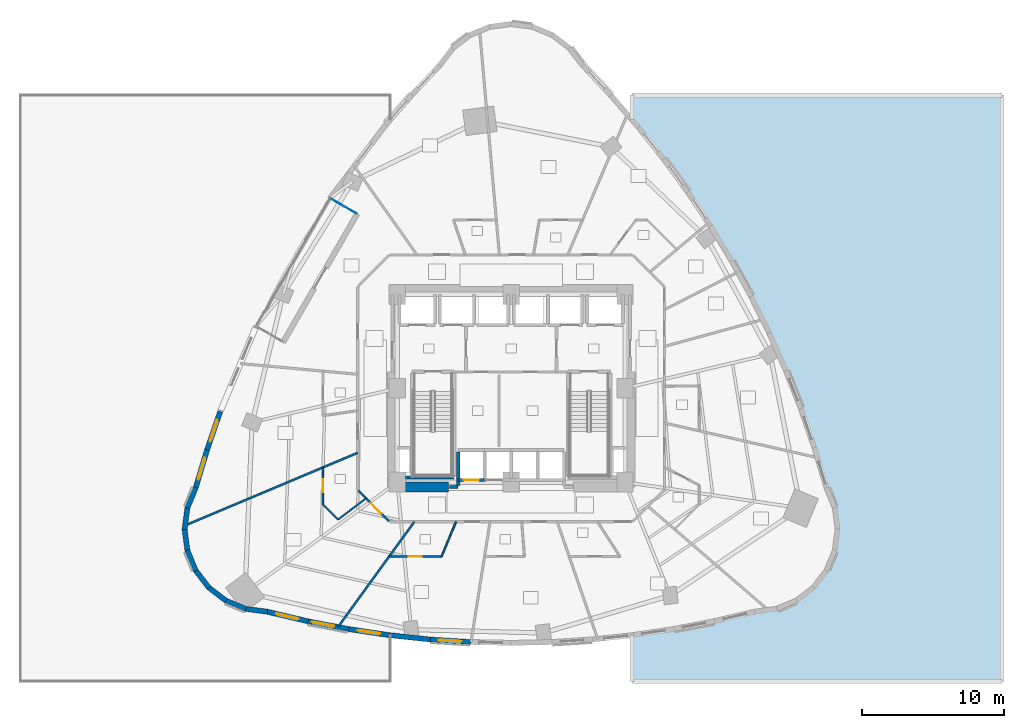
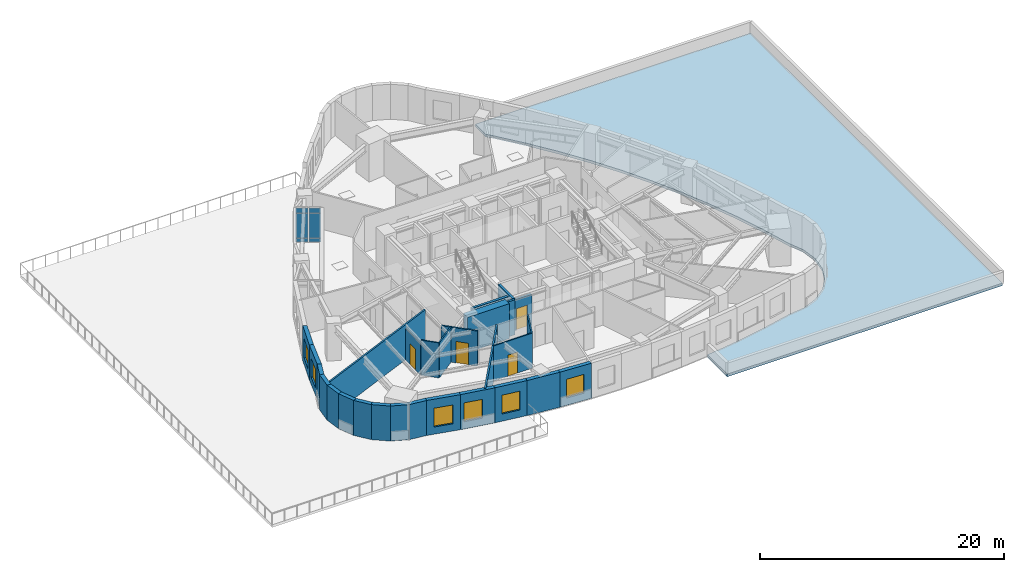
# One storey, part 7 of 15: 28 walls, 6 plates, 6 windows, 4 doors, 1 slab, 10 openings, 1 element without a shape of its own.
"""IFC4 building model written with IfcOpenShell, lengths in metres."""

import ifcopenshell
import ifcopenshell.guid

model = None  # the IFC model being written
_history = None  # IfcOwnerHistory: only IFC2X3 demands one
_inside = {}  # id of a spatial element -> (the spatial element, [elements in it])
_under = {}  # id of a project, library or spatial element -> (it, [spatial elements below it])
_declared = {}  # id of a project -> (the project, [libraries it declares])
_typed = {}  # id of a type object -> (the type object, [elements of that type])
_made_of = {}  # id of a material, layer set ... -> (it, [elements and type objects made of it])


def new_model(schema):
    """Start an empty IFC model of exactly this schema.

    Asked for "IFC4X3", IfcOpenShell would pick the latest addendum, in which some entities
    have other attributes; the version numbers below select the first issue.
    IFC2X3 requires an IfcOwnerHistory on every rooted entity: one is made here for all.
    """
    global model, _history
    if schema == "IFC4X3":
        model = ifcopenshell.file(schema_version=(4, 3, 0, 0))
    else:
        model = ifcopenshell.file(schema=schema)
    _inside.clear()
    _under.clear()
    _declared.clear()
    _typed.clear()
    _made_of.clear()
    _history = None
    if model.schema == "IFC2X3":
        org = make("IfcOrganization", Name="unknown")
        user = make(
            "IfcPersonAndOrganization",
            ThePerson=make("IfcPerson", FamilyName="unknown"),
            TheOrganization=org,
        )
        app = make(
            "IfcApplication",
            ApplicationDeveloper=org,
            Version="unknown",
            ApplicationFullName="unknown",
            ApplicationIdentifier="unknown",
        )
        _history = make(
            "IfcOwnerHistory",
            OwningUser=user,
            OwningApplication=app,
            ChangeAction="ADDED",
            CreationDate=0,
        )
    return model


def make(cls, **values):
    """One entity of the class cls with the attributes given. An attribute that is None is left unset."""
    return model.create_entity(
        cls, **{name: value for name, value in values.items() if value is not None}
    )


def rooted(cls, **values):
    """An entity with a GlobalId (a new one), such as an element, a storey or a relation."""
    return make(cls, GlobalId=ifcopenshell.guid.new(), OwnerHistory=_history, **values)


def si_unit(unit_type, name, prefix=None):
    """IfcSIUnit, for example si_unit("LENGTHUNIT", "METRE", prefix="MILLI")."""
    return make("IfcSIUnit", UnitType=unit_type, Prefix=prefix, Name=name)


def assignment(units):
    """IfcUnitAssignment: the units of a project."""
    return None if units is None else make("IfcUnitAssignment", Units=units)


def point(xyz):
    """IfcCartesianPoint."""
    return None if xyz is None else make("IfcCartesianPoint", Coordinates=xyz)


def direction(xyz):
    """IfcDirection."""
    return None if xyz is None else make("IfcDirection", DirectionRatios=xyz)


def frame(location, z_axis=None, x_axis=None):
    """IfcAxis2Placement3D, a coordinate frame: its origin and axes. An axis left out is left unset."""
    return make(
        "IfcAxis2Placement3D",
        Location=point(location),
        Axis=direction(z_axis),
        RefDirection=direction(x_axis),
    )


def frame_2d(location, x_axis=None):
    """IfcAxis2Placement2D, a coordinate frame in the plane: its origin and x axis."""
    return make(
        "IfcAxis2Placement2D", Location=point(location), RefDirection=direction(x_axis)
    )


def origin():
    """The frame at (0, 0, 0) with its axes left unset."""
    return frame((0.0, 0.0, 0.0))


def origin_2d():
    """The frame at (0, 0) in the plane with its x axis left unset."""
    return frame_2d((0.0, 0.0))


def place(relative_to, where):
    """IfcLocalPlacement: puts the frame where relative to a parent placement (None: the world)."""
    return make(
        "IfcLocalPlacement", PlacementRelTo=relative_to, RelativePlacement=where
    )


def context(
    kind, dimensions, precision=None, world=None, true_north=None, identifier=None
):
    """IfcGeometricRepresentationContext, for example the 3D "Model" context."""
    return make(
        "IfcGeometricRepresentationContext",
        ContextIdentifier=identifier,
        ContextType=kind,
        CoordinateSpaceDimension=dimensions,
        Precision=precision,
        WorldCoordinateSystem=world,
        TrueNorth=true_north,
    )


def subcontext(parent, identifier, kind, view, scale=None):
    """IfcGeometricRepresentationSubContext, for example "Body" below "Model"."""
    return make(
        "IfcGeometricRepresentationSubContext",
        ContextIdentifier=identifier,
        ContextType=kind,
        ParentContext=parent,
        TargetScale=scale,
        TargetView=view,
    )


def project(units=None, contexts=None):
    """IfcProject with its units and contexts."""
    return rooted(
        "IfcProject",
        Name="project",
        RepresentationContexts=contexts,
        UnitsInContext=assignment(units),
    )


def spatial(cls, under=None, at=None, **own):
    """A site, building, storey or space (cls), placed at a placement, below another one or the project."""
    s = rooted(cls, ObjectPlacement=at, **own)
    if under is not None:
        _under.setdefault(under.id(), (under, []))[1].append(s)
    return s


def polyline(points):
    """IfcPolyline through the points."""
    return make("IfcPolyline", Points=[point(p) for p in points])


def profile(cls, at=None, kind="AREA", **sizes):
    """A parametric profile (cls). Its sizes go by their IFC names, for example OverallWidth=200.0."""
    return make(cls, ProfileType=kind, Position=at, **sizes)


def rectangle(**sizes):
    """IfcRectangleProfileDef."""
    return profile("IfcRectangleProfileDef", **sizes)


def outline(outer, holes=None, kind="AREA"):
    """IfcArbitraryClosedProfileDef: a profile drawn as a closed curve; with holes, ...WithVoids."""
    if holes is None:
        return make("IfcArbitraryClosedProfileDef", ProfileType=kind, OuterCurve=outer)
    return make(
        "IfcArbitraryProfileDefWithVoids",
        ProfileType=kind,
        OuterCurve=outer,
        InnerCurves=holes,
    )


def extrude(swept, where, along, depth):
    """IfcExtrudedAreaSolid: the profile swept, set in the frame where, extruded along a direction by depth."""
    return make(
        "IfcExtrudedAreaSolid",
        SweptArea=swept,
        Position=where,
        ExtrudedDirection=direction(along),
        Depth=depth,
    )


def shape(context_of_items, identifier, shape_type, items):
    """IfcShapeRepresentation: the items that make up one representation, for example the "Body"."""
    return make(
        "IfcShapeRepresentation",
        ContextOfItems=context_of_items,
        RepresentationIdentifier=identifier,
        RepresentationType=shape_type,
        Items=items,
    )


def material(Name=None, Category=None):
    """IfcMaterial."""
    return make("IfcMaterial", Name=Name, Category=Category)


def layer(
    of_material, thickness, ventilated=None, Name=None, Category=None, Priority=None
):
    """IfcMaterialLayer: one layer of a wall or slab, of a material (None: an air gap)."""
    return make(
        "IfcMaterialLayer",
        Material=of_material,
        LayerThickness=thickness,
        IsVentilated=ventilated,
        Name=Name,
        Category=Category,
        Priority=Priority,
    )


def layer_set(layers, Name=None):
    """IfcMaterialLayerSet."""
    return make("IfcMaterialLayerSet", MaterialLayers=layers, LayerSetName=Name)


def made_of(thing, what):
    """Note that an element or type object is made of a material, layer set ...; save() writes the relation."""
    if what is not None:
        _made_of.setdefault(what.id(), (what, []))[1].append(thing)
    return thing


def type_object(cls, material=None, **own):
    """A type object (cls), such as IfcWallType, which elements share."""
    return made_of(rooted(cls, **own), material)


def element(
    cls,
    number,
    at=None,
    inside=None,
    cuts=None,
    type_object=None,
    material=None,
    context=None,
    identifier="Body",
    shape_type=None,
    held_by="IfcProductDefinitionShape",
    body=None,
    shapes=None,
    **own,
):
    """One element of the class cls, such as IfcWall. Its Tag is "e" and its number.

    at: its placement. inside: the storey or other place that contains it. cuts: it is an
    opening in that element (IfcRelVoidsElement). A single representation is given by context,
    identifier, shape_type and body (its items); several are given by shapes. held_by: the class
    of the entity that holds the representations. save() writes the other relations.
    """
    e = rooted(cls, Tag="e%d" % number, ObjectPlacement=at, **own)
    if body is not None:
        shapes = [shape(context, identifier, shape_type, body)]
    if shapes is not None:
        e.Representation = make(held_by, Representations=shapes)
    if inside is not None:
        _inside.setdefault(inside.id(), (inside, []))[1].append(e)
    if cuts is not None:
        rooted(
            "IfcRelVoidsElement", RelatingBuildingElement=cuts, RelatedOpeningElement=e
        )
    if type_object is not None:
        _typed.setdefault(type_object.id(), (type_object, []))[1].append(e)
    return made_of(e, material)


def fill(opening, filler):
    """IfcRelFillsElement: the door or window that sits in an opening."""
    return rooted(
        "IfcRelFillsElement",
        RelatingOpeningElement=opening,
        RelatedBuildingElement=filler,
    )


def aggregate(whole, parts):
    """IfcRelAggregates: a whole, such as a stair, and the parts it consists of."""
    return rooted("IfcRelAggregates", RelatingObject=whole, RelatedObjects=parts)


def save(model, path):
    """Write the relations noted so far, then the file.

    IfcRelAggregates (storeys below a building ...), IfcRelContainedInSpatialStructure (elements
    in a storey), IfcRelDefinesByType, IfcRelAssociatesMaterial and IfcRelDeclares: one each for
    every whole, place, type object, material and project.
    """
    for whole, parts in _under.values():
        aggregate(whole, parts)
    for where, things in _inside.values():
        rooted(
            "IfcRelContainedInSpatialStructure",
            RelatedElements=things,
            RelatingStructure=where,
        )
    for kind, things in _typed.values():
        rooted("IfcRelDefinesByType", RelatedObjects=things, RelatingType=kind)
    for what, things in _made_of.values():
        rooted("IfcRelAssociatesMaterial", RelatedObjects=things, RelatingMaterial=what)
    for by, libraries in _declared.values():
        rooted("IfcRelDeclares", RelatingContext=by, RelatedDefinitions=libraries)
    model.write(path)


model = new_model("IFC4")

# Units and contexts
model_context = context("Model", 3, precision=1e-05, world=origin(), true_north=direction((0.0, 1.0)))
body_context = subcontext(model_context, "Body", "Model", "MODEL_VIEW")
ifc_project = project(units=[si_unit("LENGTHUNIT", "METRE"), si_unit("AREAUNIT", "SQUARE_METRE"), si_unit("VOLUMEUNIT", "CUBIC_METRE"), si_unit("PLANEANGLEUNIT", "RADIAN"), si_unit("MASSUNIT", "GRAM", prefix="KILO")], contexts=[model_context])

# Site, building, storey
site_placement = place(None, origin())
site = spatial("IfcSite", under=ifc_project, at=site_placement, CompositionType="ELEMENT")
building_placement = place(site_placement, origin())
building = spatial("IfcBuilding", under=site, at=building_placement, Name="Ndelora Gate Hotel", CompositionType="ELEMENT")
storey_placement = place(building_placement, frame((0.0, 0.0, 30.5)))
storey = spatial("IfcBuildingStorey", under=building, at=storey_placement, Name="L06", CompositionType="ELEMENT", Elevation=30.5)

# Curtain wall, plates
ifc_material_1 = material(Name="Bronze Anodised Unitised Aluminium and Low-E Glass", Category="aluminium")
ifc_layer_1 = layer(ifc_material_1, 0.199951171875)
ifc_layer_set_1 = layer_set([ifc_layer_1], Name="Bronze Anodised Unitised Aluminium and Low-E Glass")
curtain_wall_type = type_object("IfcCurtainWallType", Name="CW-SYS-3", PredefinedType="NOTDEFINED", material=ifc_layer_set_1)
curtain_wall_placement = place(storey_placement, origin())
curtain_wall = element("IfcCurtainWall", 1, at=curtain_wall_placement, inside=storey, type_object=curtain_wall_type, Name="L06 Sky-Garden Loggia Side Curtain Wall CW3-1", PredefinedType="NOTDEFINED")
ifc_material_2 = material(Name="Solar-Control Low-E Insulated Glazing", Category="glass")
ifc_layer_2 = layer(ifc_material_2, 0.048095703125)
ifc_layer_set_2 = layer_set([ifc_layer_2], Name="Solar-Control Low-E Insulated Glazing")
plate_type = type_object("IfcPlateType", Name="PL-CW-GLZ36", PredefinedType="CURTAIN_PANEL", material=ifc_layer_set_2)
plate_1_placement = place(storey_placement, frame((-11.315185546875, 12.537353515625, 0.05908203125), z_axis=(0.0, 0.0, 1.0), x_axis=(-0.866030416344, 0.499991317892, 0.0)))
plate_1 = element("IfcPlate", 2, at=plate_1_placement, type_object=plate_type, Name="CW3 panel 1.1", PredefinedType="CURTAIN_PANEL", context=body_context, shape_type="SweptSolid", body=[
    extrude(rectangle(XDim=1.014404296875, YDim=0.048095703125, at=origin_2d()), origin(), (0.0, 0.0, 1.0), 0.364501953125),
])
plate_2_placement = place(storey_placement, frame((-11.315185546875, 12.537353515625, 0.4765625), z_axis=(0.0, 0.0, 1.0), x_axis=(-0.866030416344, 0.499991317892, 0.0)))
plate_2 = element("IfcPlate", 3, at=plate_2_placement, type_object=plate_type, Name="CW3 panel 1.2", PredefinedType="CURTAIN_PANEL", context=body_context, shape_type="SweptSolid", body=[
    extrude(rectangle(XDim=1.014404296875, YDim=0.048095703125, at=origin_2d()), origin(), (0.0, 0.0, 1.0), 2.447021484375),
])
plate_3_placement = place(storey_placement, frame((-11.315185546875, 12.537353515625, 2.9765625), z_axis=(0.0, 0.0, 1.0), x_axis=(-0.866030416344, 0.499991317892, 0.0)))
plate_3 = element("IfcPlate", 4, at=plate_3_placement, type_object=plate_type, Name="CW3 panel 1.3", PredefinedType="CURTAIN_PANEL", context=body_context, shape_type="SweptSolid", body=[
    extrude(rectangle(XDim=1.014404296875, YDim=0.048095703125, at=origin_2d()), origin(), (0.0, 0.0, 1.0), 0.464599609375),
])
plate_4_placement = place(storey_placement, frame((-12.23974609375, 13.071044921875, 0.05908203125), z_axis=(0.0, 0.0, 1.0), x_axis=(-0.866030416344, 0.499991317892, 0.0)))
plate_4 = element("IfcPlate", 5, at=plate_4_placement, type_object=plate_type, Name="CW3 panel 2.1", PredefinedType="CURTAIN_PANEL", context=body_context, shape_type="SweptSolid", body=[
    extrude(rectangle(XDim=1.014404296875, YDim=0.048095703125, at=origin_2d()), origin(), (0.0, 0.0, 1.0), 0.364501953125),
])
plate_5_placement = place(storey_placement, frame((-12.23974609375, 13.071044921875, 0.4765625), z_axis=(0.0, 0.0, 1.0), x_axis=(-0.866030416344, 0.499991317892, 0.0)))
plate_5 = element("IfcPlate", 6, at=plate_5_placement, type_object=plate_type, Name="CW3 panel 2.2", PredefinedType="CURTAIN_PANEL", context=body_context, shape_type="SweptSolid", body=[
    extrude(rectangle(XDim=1.014404296875, YDim=0.048095703125, at=origin_2d()), origin(), (0.0, 0.0, 1.0), 2.447021484375),
])
plate_6_placement = place(storey_placement, frame((-12.23974609375, 13.071044921875, 2.9765625), z_axis=(0.0, 0.0, 1.0), x_axis=(-0.866030416344, 0.499991317892, 0.0)))
plate_6 = element("IfcPlate", 7, at=plate_6_placement, type_object=plate_type, Name="CW3 panel 2.3", PredefinedType="CURTAIN_PANEL", context=body_context, shape_type="SweptSolid", body=[
    extrude(rectangle(XDim=1.014404296875, YDim=0.048095703125, at=origin_2d()), origin(), (0.0, 0.0, 1.0), 0.464599609375),
])
aggregate(curtain_wall, [plate_1, plate_2, plate_3, plate_4, plate_5, plate_6])

# Slab
ifc_material_3 = material(Name="Precast concrete C40/50", Category="concrete")
ifc_layer_3 = layer(ifc_material_3, 0.260009765625)
ifc_layer_set_3 = layer_set([ifc_layer_3], Name="Precast concrete C40/50")
slab_type = type_object("IfcSlabType", Name="SL-ROOF-260", PredefinedType="ROOF", material=ifc_layer_set_3)
slab_placement = place(storey_placement, frame((0.0, 0.0, -0.260009765625)))
element("IfcSlab", 8, at=slab_placement, inside=storey, type_object=slab_type, Name="L06 East Podium Closed Roof Slab", PredefinedType="ROOF", context=body_context, shape_type="SweptSolid", body=[
    extrude(outline(polyline([(8.5, 18.90625), (8.9560546875, 18.37939453125), (10.756591796875, 16.11669921875), (12.451171875, 13.792724609375), (14.039794921875, 11.40771484375), (15.522705078125, 8.961669921875), (16.899658203125, 6.454345703125), (18.1708984375, 3.885986328125), (19.336181640625, 1.25634765625), (20.3955078125, -1.434326171875), (21.348876953125, -4.18603515625), (22.196044921875, -6.997314453125), (22.7763671875, -8.400146484375), (22.973876953125, -9.906494140625), (22.77490234375, -11.412841796875), (22.193115234375, -12.816162109375), (21.267578125, -14.02099609375), (20.061767578125, -14.9453125), (18.657958984375, -15.526123046875), (17.15771484375, -15.7236328125), (14.298828125, -16.395751953125), (11.439208984375, -16.94580078125), (8.5791015625, -17.373779296875), (8.5, -17.38232421875), (8.5, -20.60009765625), (34.5, -20.60009765625), (34.5, 20.60009765625), (8.5, 20.60009765625), (8.5, 18.90625)])), origin(), (0.0, 0.0, 1.0), 0.260009765625),
])

# Wall, opening, window
ifc_material_4 = material(Name="Clay Brick Masonry", Category="masonry")
ifc_layer_4 = layer(ifc_material_4, 0.360107421875)
ifc_layer_set_4 = layer_set([ifc_layer_4], Name="Clay Brick Masonry")
wall_type_1 = type_object("IfcWallType", Name="WL-BRICK-360", PredefinedType="SOLIDWALL", material=ifc_layer_set_4)
wall_1_placement = place(storey_placement, frame((-21.373779296875, -4.32666015625, 0.0), z_axis=(0.0, 0.0, 1.0), x_axis=(0.325091754677, 0.945682478975, 0.0)))
wall_1 = element("IfcWall", 9, at=wall_1_placement, inside=storey, type_object=wall_type_1, Name="L06 Tower Brick Pier-and-Spandrel Wall TWR-17", PredefinedType="SOLIDWALL", context=body_context, shape_type="SweptSolid", body=[
    extrude(rectangle(XDim=2.84619140625, YDim=0.360107421875, at=frame_2d((1.423095703125, 0.0))), origin(), (0.0, 0.0, 1.0), 3.5),
])
opening_1_placement = place(wall_1_placement, frame((0.623046875, 0.0, 0.719970703125)))
opening_1 = element("IfcOpeningElement", 10, at=opening_1_placement, cuts=wall_1, Name="Opening W03", PredefinedType="OPENING", context=body_context, shape_type="SweptSolid", body=[
    extrude(rectangle(XDim=1.60009765625, YDim=1.8798828125, at=frame_2d((0.800048828125, 0.93994140625))), frame((0.0, 0.18994140625, 0.0), z_axis=(0.0, -1.0, 0.0), x_axis=(1.0, 0.0, 0.0)), (0.0, 0.0, 1.0), 0.380126953125),
])
ifc_material_5 = material(Name="Insulated Low-E Double Glazing in Bronze Aluminium Frame", Category="aluminium")
window_type_1 = type_object("IfcWindowType", Name="WN-CORN-2100", PartitioningType="SINGLE_PANEL", PredefinedType="WINDOW", material=ifc_material_5)
window_1_placement = place(opening_1_placement, origin())
window_1 = element("IfcWindow", 11, at=window_1_placement, inside=storey, type_object=window_type_1, Name="L06 Deep-Set Brick-Pier Window W03", OverallHeight=1.8798828125, OverallWidth=1.60009765625, PartitioningType="SINGLE_PANEL", PredefinedType="WINDOW", context=body_context, shape_type="SweptSolid", body=[
    extrude(rectangle(XDim=1.60009765625, YDim=1.8798828125, at=frame_2d((0.800048828125, 0.93994140625))), frame((0.0, 0.030029296875, 0.0), z_axis=(0.0, -1.0, 0.0), x_axis=(1.0, 0.0, 0.0)), (0.0, 0.0, 1.0), 0.06005859375),
])
fill(opening_1, window_1)

wall_2_placement = place(storey_placement, frame((-22.184326171875, -7.02783203125, 0.0), z_axis=(0.0, 0.0, 1.0), x_axis=(0.287784902043, 0.957695071594, 0.0)))
wall_2 = element("IfcWall", 12, at=wall_2_placement, inside=storey, type_object=wall_type_1, Name="L06 Tower Brick Pier-and-Spandrel Wall TWR-18", PredefinedType="SOLIDWALL", context=body_context, shape_type="SweptSolid", body=[
    extrude(rectangle(XDim=2.869873046875, YDim=0.360107421875, at=frame_2d((1.43505859375, 0.0))), origin(), (0.0, 0.0, 1.0), 3.5),
])
opening_2_placement = place(wall_2_placement, frame((0.635009765625, 0.0, 0.719970703125)))
opening_2 = element("IfcOpeningElement", 13, at=opening_2_placement, cuts=wall_2, Name="Opening W01", PredefinedType="OPENING", context=body_context, shape_type="SweptSolid", body=[
    extrude(rectangle(XDim=1.60009765625, YDim=1.8798828125, at=frame_2d((0.800048828125, 0.93994140625))), frame((0.0, 0.18994140625, 0.0), z_axis=(0.0, -1.0, 0.0), x_axis=(1.0, 0.0, 0.0)), (0.0, 0.0, 1.0), 0.380126953125),
])
window_type_2 = type_object("IfcWindowType", Name="WN-DEEP-1600", PartitioningType="SINGLE_PANEL", PredefinedType="WINDOW", material=ifc_material_5)
window_2_placement = place(opening_2_placement, origin())
window_2 = element("IfcWindow", 14, at=window_2_placement, inside=storey, type_object=window_type_2, Name="L06 Deep-Set Brick-Pier Window W01", OverallHeight=1.8798828125, OverallWidth=1.60009765625, PartitioningType="SINGLE_PANEL", PredefinedType="WINDOW", context=body_context, shape_type="SweptSolid", body=[
    extrude(rectangle(XDim=1.60009765625, YDim=1.8798828125, at=frame_2d((0.800048828125, 0.93994140625))), frame((0.0, 0.030029296875, 0.0), z_axis=(0.0, -1.0, 0.0), x_axis=(1.0, 0.0, 0.0)), (0.0, 0.0, 1.0), 0.06005859375),
])
fill(opening_2, window_2)

# Walls
for number, where, z_axis, x_axis, name in (
    (15, (-22.76611328125, -8.42578125, 0.0), (0.0, 0.0, 1.0), (0.382719393153, 0.923864636245, 0.0), "L06 Tower Brick Pier-and-Spandrel Wall TWR-19"),
    (16, (-22.95751953125, -9.9287109375, 0.0), (0.0, 0.0, 1.0), (0.130640235609, 0.991429840604, 0.0), "L06 Tower Brick Pier-and-Spandrel Wall TWR-20"),
    (17, (-22.753173828125, -11.429931640625, 0.0), (0.0, 0.0, 1.0), (-0.130640235609, 0.991429840604, 0.0), "L06 Tower Brick Pier-and-Spandrel Wall TWR-21"),
):
    element("IfcWall", number, at=place(storey_placement, frame(where, z_axis=z_axis, x_axis=x_axis)), inside=storey, type_object=wall_type_1, Name=name, PredefinedType="SOLIDWALL", context=body_context, shape_type="SweptSolid", body=[
        extrude(rectangle(XDim=1.564208984375, YDim=0.360107421875, at=frame_2d((0.7822265625, 0.0))), origin(), (0.0, 0.0, 1.0), 3.5),
    ])
wall_3_placement = place(storey_placement, frame((-22.16748046875, -12.826904296875, 0.0), z_axis=(0.0, 0.0, 1.0), x_axis=(-0.382774588958, 0.923841768945, 0.0)))
element("IfcWall", 18, at=wall_3_placement, inside=storey, type_object=wall_type_1, Name="L06 Tower Brick Pier-and-Spandrel Wall TWR-22", PredefinedType="SOLIDWALL", context=body_context, shape_type="SweptSolid", body=[
    extrude(rectangle(XDim=1.56396484375, YDim=0.360107421875, at=frame_2d((0.781982421875, 0.0))), origin(), (0.0, 0.0, 1.0), 3.5),
])
for number, where, z_axis, x_axis, name in (
    (19, (-21.239990234375, -14.02490234375, 0.0), (0.0, 0.0, 1.0), (-0.608903307772, 0.793244452729, 0.0), "L06 Tower Brick Pier-and-Spandrel Wall TWR-23"),
    (20, (-20.0341796875, -14.942138671875, 0.0), (0.0, 0.0, 1.0), (-0.793377694402, 0.608729688799, 0.0), "L06 Tower Brick Pier-and-Spandrel Wall TWR-24"),
    (21, (-18.632080078125, -15.515869140625, 0.0), (0.0, 0.0, 1.0), (-0.923864636245, 0.382719393153, 0.0), "L06 Tower Brick Pier-and-Spandrel Wall TWR-25"),
    (22, (-17.12939453125, -15.707275390625, 0.0), (0.0, 0.0, 1.0), (-0.991429840604, 0.130640235609, 0.0), "L06 Tower Brick Pier-and-Spandrel Wall TWR-26"),
):
    element("IfcWall", number, at=place(storey_placement, frame(where, z_axis=z_axis, x_axis=x_axis)), inside=storey, type_object=wall_type_1, Name=name, PredefinedType="SOLIDWALL", context=body_context, shape_type="SweptSolid", body=[
        extrude(rectangle(XDim=1.564208984375, YDim=0.360107421875, at=frame_2d((0.7822265625, 0.0))), origin(), (0.0, 0.0, 1.0), 3.5),
    ])

# Wall, opening, window
wall_4_placement = place(storey_placement, frame((-14.270751953125, -16.3818359375, 0.0), z_axis=(0.0, 0.0, 1.0), x_axis=(-0.973460028485, 0.228857101575, 0.0)))
wall_4 = element("IfcWall", 23, at=wall_4_placement, inside=storey, type_object=wall_type_1, Name="L06 Tower Brick Pier-and-Spandrel Wall TWR-27", PredefinedType="SOLIDWALL", context=body_context, shape_type="SweptSolid", body=[
    extrude(rectangle(XDim=2.987060546875, YDim=0.360107421875, at=frame_2d((1.49365234375, 0.0))), origin(), (0.0, 0.0, 1.0), 3.5),
])
opening_3_placement = place(wall_4_placement, frame((0.693603515625, 0.0, 0.719970703125)))
opening_3 = element("IfcOpeningElement", 24, at=opening_3_placement, cuts=wall_4, Name="Opening W01", PredefinedType="OPENING", context=body_context, shape_type="SweptSolid", body=[
    extrude(rectangle(XDim=1.60009765625, YDim=1.8798828125, at=frame_2d((0.800048828125, 0.93994140625))), frame((0.0, 0.18994140625, 0.0), z_axis=(0.0, -1.0, 0.0), x_axis=(1.0, 0.0, 0.0)), (0.0, 0.0, 1.0), 0.380126953125),
])
window_3_placement = place(opening_3_placement, origin())
window_3 = element("IfcWindow", 25, at=window_3_placement, inside=storey, type_object=window_type_2, Name="L06 Deep-Set Brick-Pier Window W01", OverallHeight=1.8798828125, OverallWidth=1.60009765625, PartitioningType="SINGLE_PANEL", PredefinedType="WINDOW", context=body_context, shape_type="SweptSolid", body=[
    extrude(rectangle(XDim=1.60009765625, YDim=1.8798828125, at=frame_2d((0.800048828125, 0.93994140625))), frame((0.0, 0.030029296875, 0.0), z_axis=(0.0, -1.0, 0.0), x_axis=(1.0, 0.0, 0.0)), (0.0, 0.0, 1.0), 0.06005859375),
])
fill(opening_3, window_3)

wall_5_placement = place(storey_placement, frame((-11.41162109375, -16.930908203125, 0.0), z_axis=(0.0, 0.0, 1.0), x_axis=(-0.981984682903, 0.188960531711, 0.0)))
wall_5 = element("IfcWall", 26, at=wall_5_placement, inside=storey, type_object=wall_type_1, Name="L06 Tower Brick Pier-and-Spandrel Wall TWR-28", PredefinedType="SOLIDWALL", context=body_context, shape_type="SweptSolid", body=[
    extrude(rectangle(XDim=2.96142578125, YDim=0.360107421875, at=frame_2d((1.480712890625, 0.0))), origin(), (0.0, 0.0, 1.0), 3.5),
])
opening_4_placement = place(wall_5_placement, frame((1.06005859375, 0.0, 0.719970703125)))
opening_4 = element("IfcOpeningElement", 27, at=opening_4_placement, cuts=wall_5, Name="Opening W01", PredefinedType="OPENING", context=body_context, shape_type="SweptSolid", body=[
    extrude(rectangle(XDim=1.60009765625, YDim=1.8798828125, at=frame_2d((0.800048828125, 0.93994140625))), frame((0.0, 0.18994140625, 0.0), z_axis=(0.0, -1.0, 0.0), x_axis=(1.0, 0.0, 0.0)), (0.0, 0.0, 1.0), 0.380126953125),
])
window_4_placement = place(opening_4_placement, origin())
window_4 = element("IfcWindow", 28, at=window_4_placement, inside=storey, type_object=window_type_2, Name="L06 Deep-Set Brick-Pier Window W01", OverallHeight=1.8798828125, OverallWidth=1.60009765625, PartitioningType="SINGLE_PANEL", PredefinedType="WINDOW", context=body_context, shape_type="SweptSolid", body=[
    extrude(rectangle(XDim=1.60009765625, YDim=1.8798828125, at=frame_2d((0.800048828125, 0.93994140625))), frame((0.0, 0.030029296875, 0.0), z_axis=(0.0, -1.0, 0.0), x_axis=(1.0, 0.0, 0.0)), (0.0, 0.0, 1.0), 0.06005859375),
])
fill(opening_4, window_4)

wall_6_placement = place(storey_placement, frame((-8.552490234375, -17.357666015625, 0.0), z_axis=(0.0, 0.0, 1.0), x_axis=(-0.988982587095, 0.148031896641, 0.0)))
wall_6 = element("IfcWall", 29, at=wall_6_placement, inside=storey, type_object=wall_type_1, Name="L06 Tower Brick Pier-and-Spandrel Wall TWR-29", PredefinedType="SOLIDWALL", context=body_context, shape_type="SweptSolid", body=[
    extrude(rectangle(XDim=2.940673828125, YDim=0.360107421875, at=frame_2d((1.47021484375, 0.0))), origin(), (0.0, 0.0, 1.0), 3.5),
])
opening_5_placement = place(wall_6_placement, frame((0.67041015625, 0.0, 0.719970703125)))
opening_5 = element("IfcOpeningElement", 30, at=opening_5_placement, cuts=wall_6, Name="Opening W03", PredefinedType="OPENING", context=body_context, shape_type="SweptSolid", body=[
    extrude(rectangle(XDim=1.60009765625, YDim=1.8798828125, at=frame_2d((0.800048828125, 0.93994140625))), frame((0.0, 0.18994140625, 0.0), z_axis=(0.0, -1.0, 0.0), x_axis=(1.0, 0.0, 0.0)), (0.0, 0.0, 1.0), 0.380126953125),
])
window_5_placement = place(opening_5_placement, origin())
window_5 = element("IfcWindow", 31, at=window_5_placement, inside=storey, type_object=window_type_1, Name="L06 Deep-Set Brick-Pier Window W03", OverallHeight=1.8798828125, OverallWidth=1.60009765625, PartitioningType="SINGLE_PANEL", PredefinedType="WINDOW", context=body_context, shape_type="SweptSolid", body=[
    extrude(rectangle(XDim=1.60009765625, YDim=1.8798828125, at=frame_2d((0.800048828125, 0.93994140625))), frame((0.0, 0.030029296875, 0.0), z_axis=(0.0, -1.0, 0.0), x_axis=(1.0, 0.0, 0.0)), (0.0, 0.0, 1.0), 0.06005859375),
])
fill(opening_5, window_5)

# Wall
wall_7_placement = place(storey_placement, frame((-5.693115234375, -17.662109375, 0.0), z_axis=(0.0, 0.0, 1.0), x_axis=(-0.994340996166, 0.106235508864, 0.0)))
element("IfcWall", 32, at=wall_7_placement, inside=storey, type_object=wall_type_1, Name="L06 Tower Brick Pier-and-Spandrel Wall TWR-30", PredefinedType="SOLIDWALL", context=body_context, shape_type="SweptSolid", body=[
    extrude(rectangle(XDim=2.925537109375, YDim=0.360107421875, at=frame_2d((1.462890625, 0.0))), origin(), (0.0, 0.0, 1.0), 3.5),
])

# Wall, opening, window
wall_8_placement = place(storey_placement, frame((-2.833984375, -17.844482421875, 0.0), z_axis=(0.0, 0.0, 1.0), x_axis=(-0.997950575381, 0.063989445203, 0.0)))
wall_8 = element("IfcWall", 33, at=wall_8_placement, inside=storey, type_object=wall_type_1, Name="L06 Tower Brick Pier-and-Spandrel Wall TWR-31", PredefinedType="SOLIDWALL", context=body_context, shape_type="SweptSolid", body=[
    extrude(rectangle(XDim=2.914794921875, YDim=0.360107421875, at=frame_2d((1.45751953125, 0.0))), origin(), (0.0, 0.0, 1.0), 3.5),
])
opening_6_placement = place(wall_8_placement, frame((0.657470703125, 0.0, 0.719970703125)))
opening_6 = element("IfcOpeningElement", 34, at=opening_6_placement, cuts=wall_8, Name="Opening W01", PredefinedType="OPENING", context=body_context, shape_type="SweptSolid", body=[
    extrude(rectangle(XDim=1.60009765625, YDim=1.8798828125, at=frame_2d((0.800048828125, 0.93994140625))), frame((0.0, 0.18994140625, 0.0), z_axis=(0.0, -1.0, 0.0), x_axis=(1.0, 0.0, 0.0)), (0.0, 0.0, 1.0), 0.380126953125),
])
window_6_placement = place(opening_6_placement, origin())
window_6 = element("IfcWindow", 35, at=window_6_placement, inside=storey, type_object=window_type_2, Name="L06 Deep-Set Brick-Pier Window W01", OverallHeight=1.8798828125, OverallWidth=1.60009765625, PartitioningType="SINGLE_PANEL", PredefinedType="WINDOW", context=body_context, shape_type="SweptSolid", body=[
    extrude(rectangle(XDim=1.60009765625, YDim=1.8798828125, at=frame_2d((0.800048828125, 0.93994140625))), frame((0.0, 0.030029296875, 0.0), z_axis=(0.0, -1.0, 0.0), x_axis=(1.0, 0.0, 0.0)), (0.0, 0.0, 1.0), 0.06005859375),
])
fill(opening_6, window_6)

# Walls
ifc_material_6 = material(Name="Concrete C60/75", Category="concrete")
ifc_layer_5 = layer(ifc_material_6, 0.699951171875)
ifc_layer_set_5 = layer_set([ifc_layer_5], Name="Concrete C60/75")
wall_type_2 = type_object("IfcWallType", Name="WL-CORE-700", PredefinedType="SHEAR", material=ifc_layer_set_5)
wall_9_placement = place(storey_placement, frame((-8.35009765625, -6.949951171875, 0.0), z_axis=(0.0, 0.0, 1.0), x_axis=(1.0, 0.0, 0.0)))
element("IfcWall", 36, at=wall_9_placement, inside=storey, type_object=wall_type_2, Name="L06 Core Shear Wall S-W", PredefinedType="SHEAR", context=body_context, shape_type="SweptSolid", body=[
    extrude(rectangle(XDim=3.9501953125, YDim=0.699951171875, at=frame_2d((1.97509765625, 0.0))), origin(), (0.0, 0.0, 1.0), 3.5),
])
ifc_material_7 = material(Name="Concrete C40/50", Category="concrete")
ifc_layer_6 = layer(ifc_material_7, 0.199951171875)
ifc_layer_set_6 = layer_set([ifc_layer_6], Name="Concrete C40/50")
wall_type_3 = type_object("IfcWallType", Name="WL-FIRE-200", PredefinedType="PARTITIONING", material=ifc_layer_set_6)
wall_10_placement = place(storey_placement, frame((-4.320068359375, -6.949951171875, 0.0), z_axis=(0.0, 0.0, 1.0), x_axis=(1.0, 0.0, 0.0)))
element("IfcWall", 37, at=wall_10_placement, inside=storey, type_object=wall_type_3, Name="L06 Interior Wall IW-2", PredefinedType="PARTITIONING", context=body_context, shape_type="SweptSolid", body=[
    extrude(rectangle(XDim=0.60009765625, YDim=0.199951171875, at=frame_2d((0.300048828125, 0.0))), origin(), (0.0, 0.0, 1.0), 3.5),
])

# Wall, opening, door
ifc_material_8 = material(Name="Fire-Rated Gypsum Stud Partition", Category="gypsum")
ifc_layer_7 = layer(ifc_material_8, 0.14990234375)
ifc_layer_set_7 = layer_set([ifc_layer_7], Name="Fire-Rated Gypsum Stud Partition")
wall_type_4 = type_object("IfcWallType", Name="WL-PART-150", PredefinedType="PARTITIONING", material=ifc_layer_set_7)
wall_11_placement = place(storey_placement, frame((-8.578369140625, -9.351806640625, 0.0), z_axis=(0.0, 0.0, 1.0), x_axis=(-0.707067066127, 0.707146494016, 0.0)))
wall_11 = element("IfcWall", 38, at=wall_11_placement, inside=storey, type_object=wall_type_4, Name="L06 Interior Wall IW-5", PredefinedType="PARTITIONING", context=body_context, shape_type="SweptSolid", body=[
    extrude(rectangle(XDim=3.07373046875, YDim=0.14990234375, at=frame_2d((1.536865234375, 0.0))), origin(), (0.0, 0.0, 1.0), 3.5),
])
opening_7_placement = place(wall_11_placement, frame((0.75390625, 0.0, 0.0)))
opening_7 = element("IfcOpeningElement", 39, at=opening_7_placement, cuts=wall_11, Name="Opening D07", PredefinedType="OPENING", context=body_context, shape_type="SweptSolid", body=[
    extrude(rectangle(XDim=1.06005859375, YDim=2.14990234375, at=frame_2d((0.530029296875, 1.074951171875))), frame((0.0, 0.0849609375, 0.0), z_axis=(0.0, -1.0, 0.0), x_axis=(1.0, 0.0, 0.0)), (0.0, 0.0, 1.0), 0.169921875),
])
ifc_material_9 = material(Name="Diplomatic Suite Acoustic Entrance Door", Category="wood")
door_type_1 = type_object("IfcDoorType", Name="DR-SUITE-1060", OperationType="SINGLE_SWING_LEFT", PredefinedType="DOOR", material=ifc_material_9)
door_1_placement = place(opening_7_placement, origin())
door_1 = element("IfcDoor", 40, at=door_1_placement, inside=storey, type_object=door_type_1, Name="L06 Twin Junior Suite 905 Entrance Door", OperationType="SINGLE_SWING_LEFT", OverallHeight=2.14990234375, OverallWidth=1.06005859375, PredefinedType="DOOR", context=body_context, shape_type="SweptSolid", body=[
    extrude(rectangle(XDim=1.06005859375, YDim=2.14990234375, at=frame_2d((0.530029296875, 1.074951171875))), frame((0.0, 0.02490234375, 0.0), z_axis=(0.0, -1.0, 0.0), x_axis=(1.0, 0.0, 0.0)), (0.0, 0.0, 1.0), 0.050048828125),
])
fill(opening_7, door_1)

# Walls
wall_12_placement = place(storey_placement, frame((-10.780029296875, -4.53466796875, 0.0), z_axis=(0.0, 0.0, 1.0), x_axis=(-0.921767922979, -0.387742048489, 0.0)))
element("IfcWall", 41, at=wall_12_placement, inside=storey, type_object=wall_type_4, Name="L06 Interior Wall IW-5", PredefinedType="PARTITIONING", context=body_context, shape_type="SweptSolid", body=[
    extrude(rectangle(XDim=13.169677734375, YDim=0.14990234375, at=frame_2d((6.5849609375, 0.0))), origin(), (0.0, 0.0, 1.0), 3.5),
])
wall_13_placement = place(storey_placement, frame((-6.802490234375, -9.3798828125, 0.0), z_axis=(0.0, 0.0, 1.0), x_axis=(-0.58706335667, -0.809540990472, 0.0)))
element("IfcWall", 42, at=wall_13_placement, inside=storey, type_object=wall_type_4, Name="L06 Interior Wall IW-5", PredefinedType="PARTITIONING", context=body_context, shape_type="SweptSolid", body=[
    extrude(rectangle(XDim=9.146484375, YDim=0.14990234375, at=frame_2d((4.5732421875, 0.0))), origin(), (0.0, 0.0, 1.0), 3.5),
])

# Wall, opening, door
ifc_layer_8 = layer(ifc_material_7, 0.219970703125)
ifc_layer_set_8 = layer_set([ifc_layer_8], Name="Concrete C40/50")
wall_type_5 = type_object("IfcWallType", Name="WL-SHAFT-220", PredefinedType="PARTITIONING", material=ifc_layer_set_8)
wall_14_placement = place(storey_placement, frame((-3.719970703125, -6.449951171875, 0.0), z_axis=(0.0, 0.0, 1.0), x_axis=(1.0, 0.0, 0.0)))
wall_14 = element("IfcWall", 43, at=wall_14_placement, inside=storey, type_object=wall_type_5, Name="L06 Interior Wall IW-1", PredefinedType="PARTITIONING", context=body_context, shape_type="SweptSolid", body=[
    extrude(rectangle(XDim=1.85986328125, YDim=0.219970703125, at=frame_2d((0.929931640625, 0.0))), origin(), (0.0, 0.0, 1.0), 3.080078125),
])
opening_8_placement = place(wall_14_placement, frame((0.39990234375, 0.0, 0.0)))
opening_8 = element("IfcOpeningElement", 44, at=opening_8_placement, cuts=wall_14, Name="Opening LD1", PredefinedType="OPENING", context=body_context, shape_type="SweptSolid", body=[
    extrude(rectangle(XDim=1.06005859375, YDim=2.14990234375, at=frame_2d((0.530029296875, 1.074951171875))), frame((0.0, 0.1201171875, 0.0), z_axis=(0.0, -1.0, 0.0), x_axis=(1.0, 0.0, 0.0)), (0.0, 0.0, 1.0), 0.239990234375),
])
ifc_material_10 = material(Name="Brushed Bronze Stainless Lift Landing Door", Category="metal")
door_type_2 = type_object("IfcDoorType", Name="DR-LD1", OperationType="DOUBLE_DOOR_SLIDING", PredefinedType="DOOR", material=ifc_material_10)
door_2_placement = place(opening_8_placement, origin())
door_2 = element("IfcDoor", 45, at=door_2_placement, inside=storey, type_object=door_type_2, Name="L06 Lift Landing Sliding Door P1A", OperationType="DOUBLE_DOOR_SLIDING", OverallHeight=2.14990234375, OverallWidth=1.06005859375, PredefinedType="DOOR", context=body_context, shape_type="SweptSolid", body=[
    extrude(rectangle(XDim=1.06005859375, YDim=2.14990234375, at=frame_2d((0.530029296875, 1.074951171875))), frame((0.0, 0.02490234375, 0.0), z_axis=(0.0, -1.0, 0.0), x_axis=(1.0, 0.0, 0.0)), (0.0, 0.0, 1.0), 0.050048828125),
])
fill(opening_8, door_2)

# Walls
wall_15_placement = place(storey_placement, frame((-3.719970703125, -6.830078125, 0.0), z_axis=(0.0, 0.0, 1.0), x_axis=(0.0, 1.0, 0.0)))
element("IfcWall", 46, at=wall_15_placement, inside=storey, type_object=wall_type_5, Name="L06 Interior Wall IW-1", PredefinedType="PARTITIONING", context=body_context, shape_type="SweptSolid", body=[
    extrude(rectangle(XDim=2.360107421875, YDim=0.219970703125, at=frame_2d((1.18017578125, 0.0))), origin(), (0.0, 0.0, 1.0), 3.5),
])
ifc_material_11 = material(Name="Concrete C50/60", Category="concrete")
ifc_layer_9 = layer(ifc_material_11, 0.239990234375)
ifc_layer_set_9 = layer_set([ifc_layer_9], Name="Concrete C50/60")
wall_type_6 = type_object("IfcWallType", Name="WL-STAIR-240", PredefinedType="SHEAR", material=ifc_layer_set_9)
wall_16_placement = place(storey_placement, frame((-7.425048828125, -6.27001953125, 0.0), z_axis=(0.0, 0.0, 1.0), x_axis=(1.0, 0.0, 0.0)))
element("IfcWall", 47, at=wall_16_placement, inside=storey, type_object=wall_type_6, Name="L06 Stair Core Shear Wall SW-ST", PredefinedType="SHEAR", context=body_context, shape_type="SweptSolid", body=[
    extrude(rectangle(XDim=3.4150390625, YDim=0.239990234375, at=frame_2d((1.70751953125, 0.0))), origin(), (0.0, 0.0, 1.0), 3.5),
])
ifc_material_12 = material(Name="Moisture-Resistant Bathroom Tile Partition", Category="gypsum")
ifc_layer_10 = layer(ifc_material_12, 0.1201171875)
ifc_layer_set_10 = layer_set([ifc_layer_10], Name="Moisture-Resistant Bathroom Tile Partition")
wall_type_7 = type_object("IfcWallType", Name="WL-WET-120", PredefinedType="PARTITIONING", material=ifc_layer_set_10)
wall_17_placement = place(storey_placement, frame((-12.166015625, -9.228759765625, 0.0), z_axis=(0.0, 0.0, 1.0), x_axis=(0.796694549239, 0.604382159906, 0.0)))
element("IfcWall", 48, at=wall_17_placement, inside=storey, type_object=wall_type_7, Name="L06 Interior Wall IW-7", PredefinedType="PARTITIONING", context=body_context, shape_type="SweptSolid", body=[
    extrude(rectangle(XDim=2.472900390625, YDim=0.1201171875, at=frame_2d((1.236328125, 0.0))), origin(), (0.0, 0.0, 1.0), 3.5),
])
wall_18_placement = place(storey_placement, frame((-12.166015625, -9.228759765625, 0.0), z_axis=(0.0, 0.0, 1.0), x_axis=(-0.707106781187, 0.707106781187, 0.0)))
element("IfcWall", 49, at=wall_18_placement, inside=storey, type_object=wall_type_7, Name="L06 Interior Wall IW-7", PredefinedType="PARTITIONING", context=body_context, shape_type="SweptSolid", body=[
    extrude(rectangle(XDim=1.504638671875, YDim=0.1201171875, at=frame_2d((0.75244140625, 0.0))), origin(), (0.0, 0.0, 1.0), 3.5),
])

# Wall, opening, door
wall_19_placement = place(storey_placement, frame((-13.22998046875, -8.164794921875, 0.0), z_axis=(0.0, 0.0, 1.0), x_axis=(0.0, 1.0, 0.0)))
wall_19 = element("IfcWall", 50, at=wall_19_placement, inside=storey, type_object=wall_type_7, Name="L06 Interior Wall IW-7", PredefinedType="PARTITIONING", context=body_context, shape_type="SweptSolid", body=[
    extrude(rectangle(XDim=2.599609375, YDim=0.1201171875, at=frame_2d((1.2998046875, 0.0))), origin(), (0.0, 0.0, 1.0), 3.1201171875),
])
opening_9_placement = place(wall_19_placement, frame((0.839599609375, 0.0, 0.0)))
opening_9 = element("IfcOpeningElement", 51, at=opening_9_placement, cuts=wall_19, Name="Opening D03", PredefinedType="OPENING", context=body_context, shape_type="SweptSolid", body=[
    extrude(rectangle(XDim=0.919921875, YDim=2.10009765625, at=frame_2d((0.4599609375, 1.050048828125))), frame((0.0, 0.070068359375, 0.0), z_axis=(0.0, -1.0, 0.0), x_axis=(1.0, 0.0, 0.0)), (0.0, 0.0, 1.0), 0.14013671875),
])
ifc_material_13 = material(Name="Moisture-Resistant Hardwood En-Suite Door", Category="wood")
door_type_3 = type_object("IfcDoorType", Name="DR-BATH-920", OperationType="SINGLE_SWING_LEFT", PredefinedType="DOOR", material=ifc_material_13)
door_3_placement = place(opening_9_placement, origin())
door_3 = element("IfcDoor", 52, at=door_3_placement, inside=storey, type_object=door_type_3, Name="L06 En-suite Bathroom 905 Door", OperationType="SINGLE_SWING_RIGHT", OverallHeight=2.10009765625, OverallWidth=0.919921875, PredefinedType="DOOR", context=body_context, shape_type="SweptSolid", body=[
    extrude(rectangle(XDim=0.919921875, YDim=2.10009765625, at=frame_2d((0.4599609375, 1.050048828125))), frame((0.0, 0.02490234375, 0.0), z_axis=(0.0, -1.0, 0.0), x_axis=(1.0, 0.0, 0.0)), (0.0, 0.0, 1.0), 0.050048828125),
])
fill(opening_9, door_3)

# Wall
wall_20_placement = place(storey_placement, frame((-4.887939453125, -11.830078125, 0.0), z_axis=(0.0, 0.0, 1.0), x_axis=(0.381814881219, 0.924238820046, 0.0)))
element("IfcWall", 53, at=wall_20_placement, inside=storey, type_object=wall_type_7, Name="L06 Interior Wall IW-7", PredefinedType="PARTITIONING", context=body_context, shape_type="SweptSolid", body=[
    extrude(rectangle(XDim=2.651123046875, YDim=0.1201171875, at=frame_2d((1.32568359375, 0.0))), origin(), (0.0, 0.0, 1.0), 3.5),
])

# Wall, opening, door
wall_21_placement = place(storey_placement, frame((-4.887939453125, -11.830078125, 0.0), z_axis=(0.0, 0.0, 1.0), x_axis=(-1.0, 0.0, 0.0)))
wall_21 = element("IfcWall", 54, at=wall_21_placement, inside=storey, type_object=wall_type_7, Name="L06 Interior Wall IW-7", PredefinedType="PARTITIONING", context=body_context, shape_type="SweptSolid", body=[
    extrude(rectangle(XDim=3.691162109375, YDim=0.1201171875, at=frame_2d((1.845703125, 0.0))), origin(), (0.0, 0.0, 1.0), 3.5),
])
opening_10_placement = place(wall_21_placement, frame((1.385498046875, 0.0, 0.0)))
opening_10 = element("IfcOpeningElement", 55, at=opening_10_placement, cuts=wall_21, Name="Opening D03", PredefinedType="OPENING", context=body_context, shape_type="SweptSolid", body=[
    extrude(rectangle(XDim=0.919921875, YDim=2.10009765625, at=frame_2d((0.4599609375, 1.050048828125))), frame((0.0, 0.070068359375, 0.0), z_axis=(0.0, -1.0, 0.0), x_axis=(1.0, 0.0, 0.0)), (0.0, 0.0, 1.0), 0.14013671875),
])
door_4_placement = place(opening_10_placement, origin())
door_4 = element("IfcDoor", 56, at=door_4_placement, inside=storey, type_object=door_type_3, Name="L06 En-suite Bathroom 906 Door", OperationType="SINGLE_SWING_LEFT", OverallHeight=2.10009765625, OverallWidth=0.919921875, PredefinedType="DOOR", context=body_context, shape_type="SweptSolid", body=[
    extrude(rectangle(XDim=0.919921875, YDim=2.10009765625, at=frame_2d((0.4599609375, 1.050048828125))), frame((0.0, 0.02490234375, 0.0), z_axis=(0.0, -1.0, 0.0), x_axis=(1.0, 0.0, 0.0)), (0.0, 0.0, 1.0), 0.050048828125),
])
fill(opening_10, door_4)

save(model, "model.ifc")
